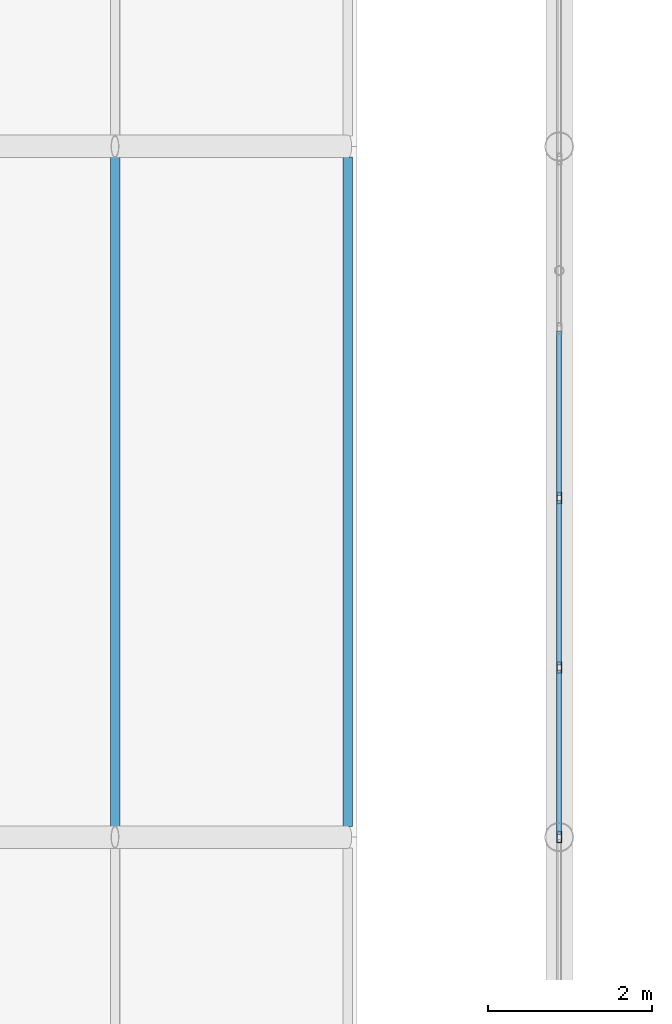
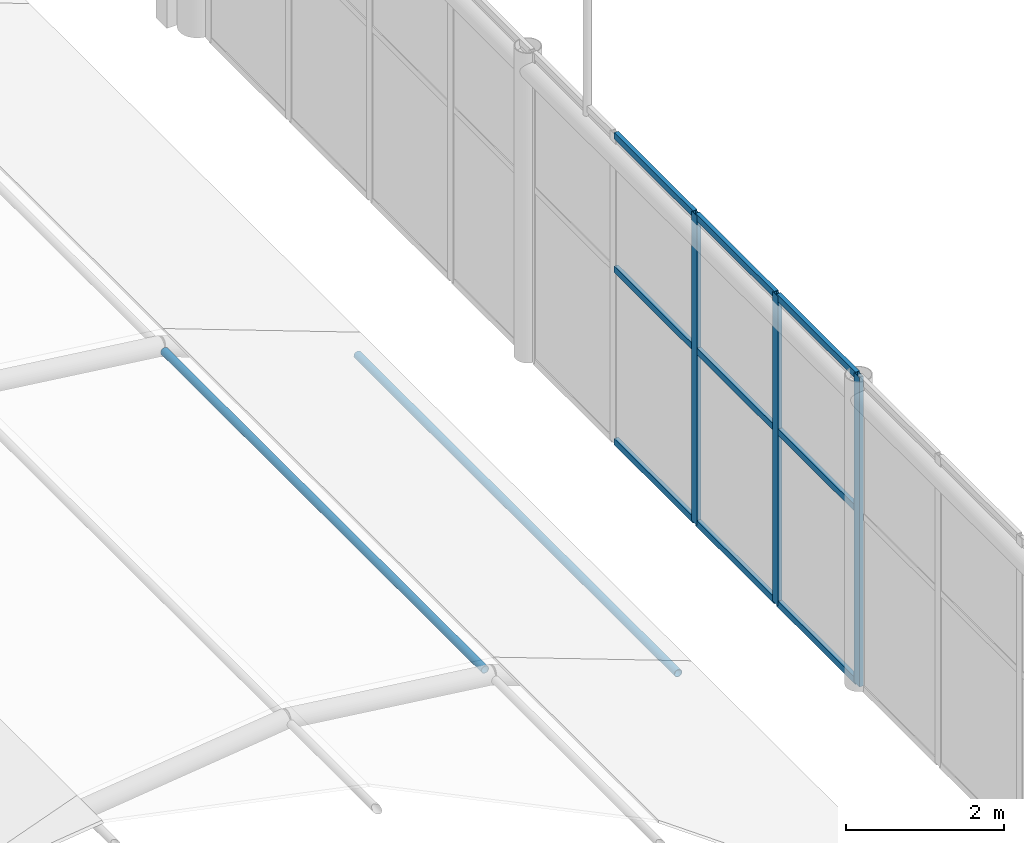
# One storey, part 69 of 167: 14 members, 1 element without a shape of its own.
"""IFC4 building model written with IfcOpenShell, lengths in metres."""

from ifc_helpers import new_model, si_unit, direction, frame, origin, origin_2d, place, context, subcontext, project, spatial, hollow_rectangle, hollow_circle, extrude, material, material_profile, profile_set, type_object, element, aggregate, save


model = new_model("IFC4")

# Units and contexts
model_context = context("Model", 3, precision=1e-05, world=origin(), true_north=direction((0.0, 1.0)))
body_context = subcontext(model_context, "Body", "Model", "MODEL_VIEW")
ifc_project = project(units=[si_unit("LENGTHUNIT", "METRE"), si_unit("AREAUNIT", "SQUARE_METRE"), si_unit("VOLUMEUNIT", "CUBIC_METRE"), si_unit("PLANEANGLEUNIT", "RADIAN"), si_unit("MASSUNIT", "GRAM", prefix="KILO")], contexts=[model_context])

# Site, building, storey
site_placement = place(None, origin())
site = spatial("IfcSite", under=ifc_project, at=site_placement, CompositionType="ELEMENT")
building_placement = place(site_placement, origin())
building = spatial("IfcBuilding", under=site, at=building_placement, Name="Catenary Quay Ferry Terminal", CompositionType="ELEMENT")
storey_placement = place(building_placement, frame((0.0, 0.0, 6.0)))
storey = spatial("IfcBuildingStorey", under=building, at=storey_placement, Name="L01", CompositionType="ELEMENT", Elevation=6.0)

# Curtain wall, members
ifc_material_1 = material(Name="Aluminium and glass", Category="aluminium")
curtain_wall_type = type_object("IfcCurtainWallType", Name="CWG", PredefinedType="NOTDEFINED", material=ifc_material_1)
curtain_wall_placement = place(storey_placement, origin())
curtain_wall = element("IfcCurtainWall", 1, at=curtain_wall_placement, inside=storey, type_object=curtain_wall_type, Name="Gable departure hall curtain wall CW16", PredefinedType="NOTDEFINED")
ifc_material_2 = material(Name="Aluminium", Category="aluminium")
ifc_material_profile_1 = material_profile(ifc_material_2, hollow_rectangle(XDim=0.06005859375, YDim=0.139892578125, WallThickness=0.006103515625, at=origin_2d()), Name="MU2")
ifc_profile_set_1 = profile_set([ifc_material_profile_1], Name="Aluminium")
member_type_1 = type_object("IfcMemberType", Name="MU2", PredefinedType="MULLION", material=ifc_profile_set_1)
member_1_placement = place(storey_placement, frame((25.199951171875, 126.0, 0.0), z_axis=(0.0, 0.0, 1.0), x_axis=(-1.0, 0.0, 0.0)))
member_1 = element("IfcMember", 2, at=member_1_placement, type_object=member_type_1, Name="CW16 mullion 9", PredefinedType="MULLION", context=body_context, shape_type="SweptSolid", body=[
    extrude(hollow_rectangle(XDim=0.06005859375, YDim=0.139892578125, WallThickness=0.006103515625, at=origin_2d()), origin(), (0.0, 0.0, 1.0), 4.800048828125),
])
member_2_placement = place(storey_placement, frame((25.199951171875, 128.0625, 0.0), z_axis=(0.0, 0.0, 1.0), x_axis=(-1.0, 0.0, 0.0)))
member_2 = element("IfcMember", 3, at=member_2_placement, type_object=member_type_1, Name="CW16 mullion 10", PredefinedType="MULLION", context=body_context, shape_type="SweptSolid", body=[
    extrude(hollow_rectangle(XDim=0.06005859375, YDim=0.139892578125, WallThickness=0.006103515625, at=origin_2d()), origin(), (0.0, 0.0, 1.0), 4.800048828125),
])
member_3_placement = place(storey_placement, frame((25.199951171875, 130.125, 0.0), z_axis=(0.0, 0.0, 1.0), x_axis=(-1.0, 0.0, 0.0)))
member_3 = element("IfcMember", 4, at=member_3_placement, type_object=member_type_1, Name="CW16 mullion 11", PredefinedType="MULLION", context=body_context, shape_type="SweptSolid", body=[
    extrude(hollow_rectangle(XDim=0.06005859375, YDim=0.139892578125, WallThickness=0.006103515625, at=origin_2d()), origin(), (0.0, 0.0, 1.0), 4.800048828125),
])

# Members
ifc_material_3 = material(Name="Steel S355", Category="steel")
ifc_material_profile_2 = material_profile(ifc_material_3, hollow_circle(Radius=0.05712890625, WallThickness=0.00634765625, at=origin_2d()), Name="CHS 114.3x6.3")
ifc_profile_set_2 = profile_set([ifc_material_profile_2], Name="Steel S355")
member_type_2 = type_object("IfcMemberType", Name="PU2 CHS 114.3x6.3", PredefinedType="PURLIN", material=ifc_profile_set_2)
for number, where, z_axis, x_axis, name in (
    (5, (19.797119140625, 126.1298828125, 2.031005859375), (0.0, 1.0, 0.0), (-1.0, 0.0, 0.0), "Purlin PU-FC-08-04"),
    (6, (22.62890625, 126.1298828125, 0.98388671875), (0.0, 1.0, 0.0), (-1.0, 0.0, 0.0), "Purlin PU-FC-08-05"),
):
    element("IfcMember", number, at=place(storey_placement, frame(where, z_axis=z_axis, x_axis=x_axis)), inside=storey, type_object=member_type_2, Name=name, PredefinedType="PURLIN", context=body_context, shape_type="SweptSolid", body=[
        extrude(hollow_circle(Radius=0.05712890625, WallThickness=0.00634765625, at=origin_2d()), origin(), (0.0, 0.0, 1.0), 8.14013671875),
    ])

# Member
ifc_material_4 = material(Name="Aluminium", Category="aluminium")
ifc_material_profile_3 = material_profile(ifc_material_4, hollow_rectangle(XDim=0.06005859375, YDim=0.10009765625, WallThickness=0.0048828125, at=origin_2d()), Name="TR2")
ifc_profile_set_3 = profile_set([ifc_material_profile_3], Name="Aluminium")
member_type_3 = type_object("IfcMemberType", Name="TR2", PredefinedType="USERDEFINED", material=ifc_profile_set_3)
member_4_placement = place(storey_placement, frame((25.199951171875, 126.030029296875, 0.030029296875), z_axis=(0.0, 1.0, 0.0), x_axis=(-1.0, 0.0, 0.0)))
member_4 = element("IfcMember", 7, at=member_4_placement, type_object=member_type_3, Name="CW16 transom 9.1", ObjectType="TRANSOM", PredefinedType="USERDEFINED", context=body_context, shape_type="SweptSolid", body=[
    extrude(hollow_rectangle(XDim=0.06005859375, YDim=0.10009765625, WallThickness=0.0048828125, at=origin_2d()), origin(), (0.0, 0.0, 1.0), 2.00244140625),
])

member_5_placement = place(storey_placement, frame((25.199951171875, 126.030029296875, 2.699951171875), z_axis=(0.0, 1.0, 0.0), x_axis=(-1.0, 0.0, 0.0)))
member_5 = element("IfcMember", 8, at=member_5_placement, type_object=member_type_3, Name="CW16 transom 9.2", ObjectType="TRANSOM", PredefinedType="USERDEFINED", context=body_context, shape_type="SweptSolid", body=[
    extrude(hollow_rectangle(XDim=0.06005859375, YDim=0.10009765625, WallThickness=0.0048828125, at=origin_2d()), origin(), (0.0, 0.0, 1.0), 2.00244140625),
])

member_6_placement = place(storey_placement, frame((25.199951171875, 126.030029296875, 4.77001953125), z_axis=(0.0, 1.0, 0.0), x_axis=(-1.0, 0.0, 0.0)))
member_6 = element("IfcMember", 9, at=member_6_placement, type_object=member_type_3, Name="CW16 transom 9.3", ObjectType="TRANSOM", PredefinedType="USERDEFINED", context=body_context, shape_type="SweptSolid", body=[
    extrude(hollow_rectangle(XDim=0.06005859375, YDim=0.10009765625, WallThickness=0.0048828125, at=origin_2d()), origin(), (0.0, 0.0, 1.0), 2.00244140625),
])

member_7_placement = place(storey_placement, frame((25.199951171875, 128.092529296875, 0.030029296875), z_axis=(0.0, 1.0, 0.0), x_axis=(-1.0, 0.0, 0.0)))
member_7 = element("IfcMember", 10, at=member_7_placement, type_object=member_type_3, Name="CW16 transom 10.1", ObjectType="TRANSOM", PredefinedType="USERDEFINED", context=body_context, shape_type="SweptSolid", body=[
    extrude(hollow_rectangle(XDim=0.06005859375, YDim=0.10009765625, WallThickness=0.0048828125, at=origin_2d()), origin(), (0.0, 0.0, 1.0), 2.00244140625),
])

member_8_placement = place(storey_placement, frame((25.199951171875, 128.092529296875, 2.699951171875), z_axis=(0.0, 1.0, 0.0), x_axis=(-1.0, 0.0, 0.0)))
member_8 = element("IfcMember", 11, at=member_8_placement, type_object=member_type_3, Name="CW16 transom 10.2", ObjectType="TRANSOM", PredefinedType="USERDEFINED", context=body_context, shape_type="SweptSolid", body=[
    extrude(hollow_rectangle(XDim=0.06005859375, YDim=0.10009765625, WallThickness=0.0048828125, at=origin_2d()), origin(), (0.0, 0.0, 1.0), 2.00244140625),
])

member_9_placement = place(storey_placement, frame((25.199951171875, 128.092529296875, 4.77001953125), z_axis=(0.0, 1.0, 0.0), x_axis=(-1.0, 0.0, 0.0)))
member_9 = element("IfcMember", 12, at=member_9_placement, type_object=member_type_3, Name="CW16 transom 10.3", ObjectType="TRANSOM", PredefinedType="USERDEFINED", context=body_context, shape_type="SweptSolid", body=[
    extrude(hollow_rectangle(XDim=0.06005859375, YDim=0.10009765625, WallThickness=0.0048828125, at=origin_2d()), origin(), (0.0, 0.0, 1.0), 2.00244140625),
])

member_10_placement = place(storey_placement, frame((25.199951171875, 130.155029296875, 0.030029296875), z_axis=(0.0, 1.0, 0.0), x_axis=(-1.0, 0.0, 0.0)))
member_10 = element("IfcMember", 13, at=member_10_placement, type_object=member_type_3, Name="CW16 transom 11.1", ObjectType="TRANSOM", PredefinedType="USERDEFINED", context=body_context, shape_type="SweptSolid", body=[
    extrude(hollow_rectangle(XDim=0.06005859375, YDim=0.10009765625, WallThickness=0.0048828125, at=origin_2d()), origin(), (0.0, 0.0, 1.0), 2.00244140625),
])

member_11_placement = place(storey_placement, frame((25.199951171875, 130.155029296875, 2.699951171875), z_axis=(0.0, 1.0, 0.0), x_axis=(-1.0, 0.0, 0.0)))
member_11 = element("IfcMember", 14, at=member_11_placement, type_object=member_type_3, Name="CW16 transom 11.2", ObjectType="TRANSOM", PredefinedType="USERDEFINED", context=body_context, shape_type="SweptSolid", body=[
    extrude(hollow_rectangle(XDim=0.06005859375, YDim=0.10009765625, WallThickness=0.0048828125, at=origin_2d()), origin(), (0.0, 0.0, 1.0), 2.00244140625),
])

member_12_placement = place(storey_placement, frame((25.199951171875, 130.155029296875, 4.77001953125), z_axis=(0.0, 1.0, 0.0), x_axis=(-1.0, 0.0, 0.0)))
member_12 = element("IfcMember", 15, at=member_12_placement, type_object=member_type_3, Name="CW16 transom 11.3", ObjectType="TRANSOM", PredefinedType="USERDEFINED", context=body_context, shape_type="SweptSolid", body=[
    extrude(hollow_rectangle(XDim=0.06005859375, YDim=0.10009765625, WallThickness=0.0048828125, at=origin_2d()), origin(), (0.0, 0.0, 1.0), 2.00244140625),
])

aggregate(curtain_wall, [member_1, member_2, member_3, member_4, member_5, member_6, member_7, member_8, member_9, member_10, member_11, member_12])

save(model, "model.ifc")
